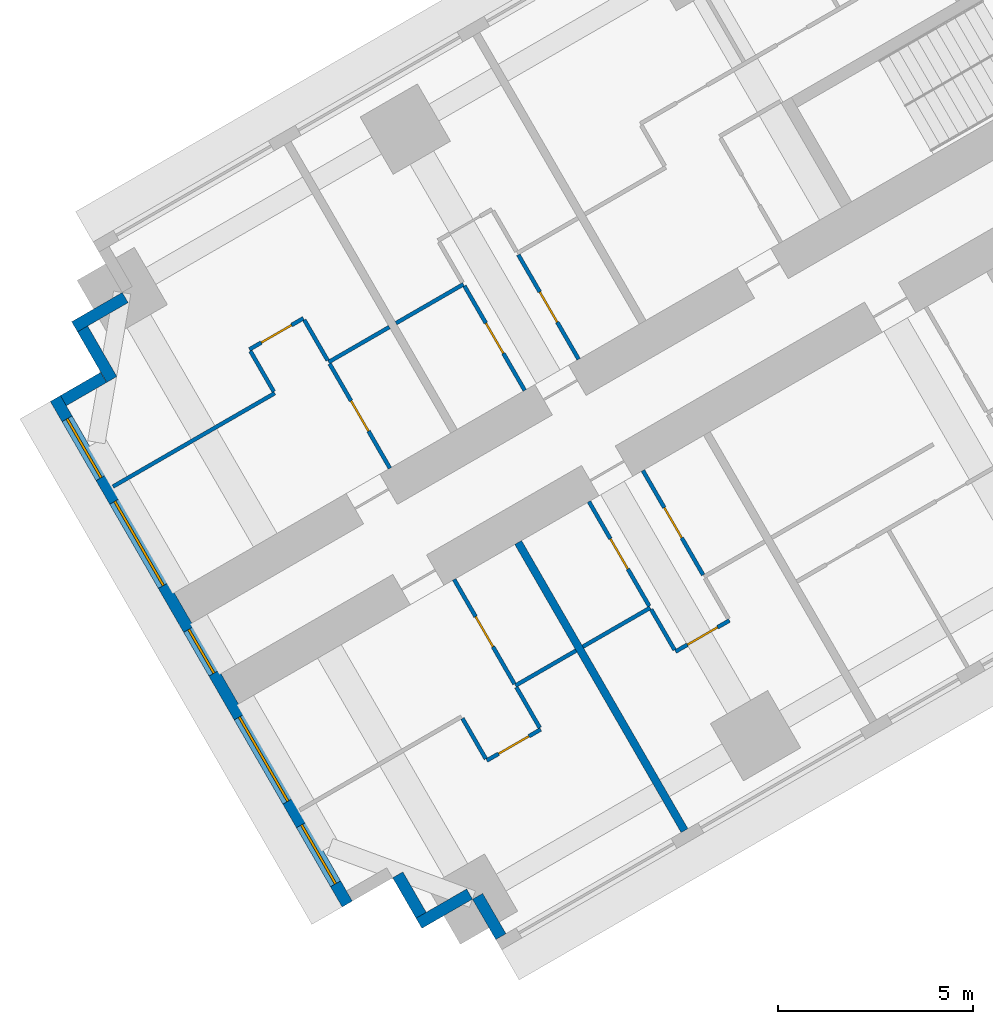
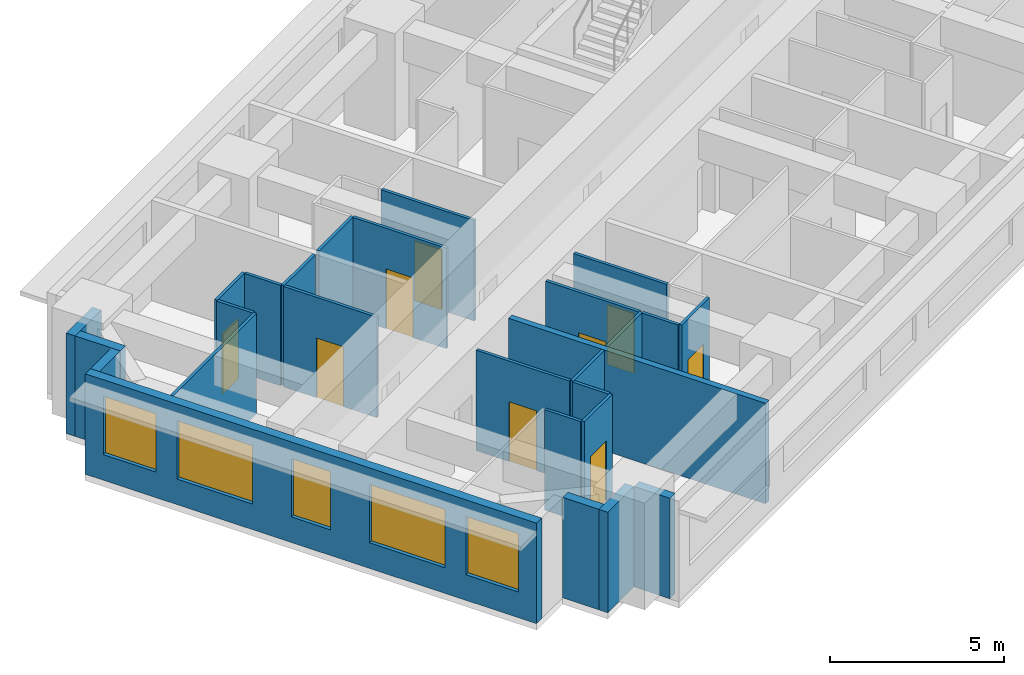
# One storey, part 3 of 16: 27 walls, 9 doors, 5 windows, 14 openings.
"""IFC4 building model written with IfcOpenShell, lengths in metres."""

from ifc_helpers import new_model, si_unit, direction, frame, frame_2d, origin, place, context, subcontext, project, spatial, rectangle, extrude, material, layer, layer_set, type_object, element, fill, save


model = new_model("IFC4")

# Units and contexts
model_context = context("Model", 3, precision=1e-05, world=origin(), true_north=direction((0.0, 1.0)))
body_context = subcontext(model_context, "Body", "Model", "MODEL_VIEW")
ifc_project = project(units=[si_unit("LENGTHUNIT", "METRE"), si_unit("AREAUNIT", "SQUARE_METRE"), si_unit("VOLUMEUNIT", "CUBIC_METRE"), si_unit("PLANEANGLEUNIT", "RADIAN"), si_unit("MASSUNIT", "GRAM", prefix="KILO")], contexts=[model_context])

# Site, building, storey
site_placement = place(None, origin())
site = spatial("IfcSite", under=ifc_project, at=site_placement, CompositionType="ELEMENT")
building_placement = place(site_placement, origin())
building = spatial("IfcBuilding", under=site, at=building_placement, Name="Impinga Residences", CompositionType="ELEMENT")
storey_placement = place(building_placement, frame((0.0, 0.0, 48.5)))
storey = spatial("IfcBuildingStorey", under=building, at=storey_placement, Name="L11", CompositionType="ELEMENT", Elevation=48.5)

# Walls
ifc_material_1 = material(Name="Terracotta rainscreen on blockwork", Category="masonry")
ifc_layer_1 = layer(ifc_material_1, 0.300048828125)
ifc_layer_set_1 = layer_set([ifc_layer_1], Name="EW1 external wall, terracotta rainscreen on blockwork 300")
wall_type_1 = type_object("IfcWallType", Name="EW1 external wall, terracotta rainscreen on blockwork 300", PredefinedType="SOLIDWALL", material=ifc_layer_set_1)
wall_1_placement = place(storey_placement, frame((-33.7685546875, -31.274169921875, 0.0), z_axis=(0.0, 0.0, 1.0), x_axis=(-0.499940577336, 0.866059708757, 0.0)))
element("IfcWall", 1, at=wall_1_placement, inside=storey, type_object=wall_type_1, Name="External wall EW1 L11", PredefinedType="SOLIDWALL", context=body_context, shape_type="SweptSolid", body=[
    extrude(rectangle(XDim=1.195068359375, YDim=0.300048828125, at=frame_2d((0.59765625, 0.0))), origin(), (0.0, 0.0, 1.0), 3.530029296875),
])
wall_2_placement = place(storey_placement, frame((-34.573486328125, -30.18017578125, 0.0), z_axis=(0.0, 0.0, 1.0), x_axis=(-0.866031096941, -0.499990139034, 0.0)))
element("IfcWall", 2, at=wall_2_placement, inside=storey, type_object=wall_type_1, Name="External wall EW1 L11", PredefinedType="SOLIDWALL", context=body_context, shape_type="SweptSolid", body=[
    extrude(rectangle(XDim=1.5, YDim=0.300048828125, at=frame_2d((0.75, 0.0))), origin(), (0.0, 0.0, 1.0), 3.530029296875),
])
wall_3_placement = place(storey_placement, frame((-35.817626953125, -30.72509765625, 0.0), z_axis=(0.0, 0.0, 1.0), x_axis=(-0.499969057507, 0.866043267704, 0.0)))
element("IfcWall", 3, at=wall_3_placement, inside=storey, type_object=wall_type_1, Name="External wall EW1 L11", PredefinedType="SOLIDWALL", context=body_context, shape_type="SweptSolid", body=[
    extrude(rectangle(XDim=1.19970703125, YDim=0.300048828125, at=frame_2d((0.599853515625, 0.0))), origin(), (0.0, 0.0, 1.0), 3.530029296875),
])

# Wall, openings, windows
wall_4_placement = place(storey_placement, frame((-37.716552734375, -30.43603515625, 0.0), z_axis=(0.0, 0.0, 1.0), x_axis=(-0.499997186618, 0.866027028085, 0.0)))
wall_4 = element("IfcWall", 4, at=wall_4_placement, inside=storey, type_object=wall_type_1, Name="External wall EW1 L11", PredefinedType="SOLIDWALL", context=body_context, shape_type="SweptSolid", body=[
    extrude(rectangle(XDim=15.0, YDim=0.300048828125, at=frame_2d((7.5, 0.0))), origin(), (0.0, 0.0, 1.0), 3.530029296875),
])
opening_1_placement = place(wall_4_placement, frame((0.60009765625, 0.0, 0.89990234375)))
opening_1 = element("IfcOpeningElement", 5, at=opening_1_placement, cuts=wall_4, Name="Opening W1", PredefinedType="OPENING", context=body_context, shape_type="SweptSolid", body=[
    extrude(rectangle(XDim=1.75, YDim=2.050048828125, at=frame_2d((0.875, 1.02490234375))), frame((0.0, 0.159912109375, 0.0), z_axis=(0.0, -1.0, 0.0), x_axis=(1.0, 0.0, 0.0)), (0.0, 0.0, 1.0), 0.320068359375),
])
opening_2_placement = place(wall_4_placement, frame((3.050048828125, 0.0, 0.89990234375)))
opening_2 = element("IfcOpeningElement", 6, at=opening_2_placement, cuts=wall_4, Name="Opening W2", PredefinedType="OPENING", context=body_context, shape_type="SweptSolid", body=[
    extrude(rectangle(XDim=2.5, YDim=2.050048828125, at=frame_2d((1.25, 1.02490234375))), frame((0.0, 0.159912109375, 0.0), z_axis=(0.0, -1.0, 0.0), x_axis=(1.0, 0.0, 0.0)), (0.0, 0.0, 1.0), 0.320068359375),
])
opening_3_placement = place(wall_4_placement, frame((6.85009765625, 0.0, 0.89990234375)))
opening_3 = element("IfcOpeningElement", 7, at=opening_3_placement, cuts=wall_4, Name="Opening WE1", PredefinedType="OPENING", context=body_context, shape_type="SweptSolid", body=[
    extrude(rectangle(XDim=1.300048828125, YDim=2.050048828125, at=frame_2d((0.64990234375, 1.02490234375))), frame((0.0, 0.159912109375, 0.0), z_axis=(0.0, -1.0, 0.0), x_axis=(1.0, 0.0, 0.0)), (0.0, 0.0, 1.0), 0.320068359375),
])
opening_4_placement = place(wall_4_placement, frame((9.449951171875, 0.0, 0.89990234375)))
opening_4 = element("IfcOpeningElement", 8, at=opening_4_placement, cuts=wall_4, Name="Opening W2", PredefinedType="OPENING", context=body_context, shape_type="SweptSolid", body=[
    extrude(rectangle(XDim=2.5, YDim=2.050048828125, at=frame_2d((1.25, 1.02490234375))), frame((0.0, 0.159912109375, 0.0), z_axis=(0.0, -1.0, 0.0), x_axis=(1.0, 0.0, 0.0)), (0.0, 0.0, 1.0), 0.320068359375),
])
opening_5_placement = place(wall_4_placement, frame((12.64990234375, 0.0, 0.89990234375)))
opening_5 = element("IfcOpeningElement", 9, at=opening_5_placement, cuts=wall_4, Name="Opening W1", PredefinedType="OPENING", context=body_context, shape_type="SweptSolid", body=[
    extrude(rectangle(XDim=1.75, YDim=2.050048828125, at=frame_2d((0.875, 1.02490234375))), frame((0.0, 0.159912109375, 0.0), z_axis=(0.0, -1.0, 0.0), x_axis=(1.0, 0.0, 0.0)), (0.0, 0.0, 1.0), 0.320068359375),
])
ifc_material_2 = material(Name="Aluminium window, clear double glazing", Category="aluminium")
window_type_1 = type_object("IfcWindowType", Name="W1 ribbon window 1750x2050", PartitioningType="SINGLE_PANEL", PredefinedType="WINDOW", material=ifc_material_2)
window_1_placement = place(opening_1_placement, origin())
window_1 = element("IfcWindow", 10, at=window_1_placement, inside=storey, type_object=window_type_1, Name="Window L11", OverallHeight=2.050048828125, OverallWidth=1.75, PartitioningType="SINGLE_PANEL", PredefinedType="WINDOW", context=body_context, shape_type="SweptSolid", body=[
    extrude(rectangle(XDim=1.75, YDim=2.050048828125, at=frame_2d((0.875, 1.02490234375))), frame((0.0, 0.030029296875, 0.0), z_axis=(0.0, -1.0, 0.0), x_axis=(1.0, 0.0, 0.0)), (0.0, 0.0, 1.0), 0.06005859375),
])
fill(opening_1, window_1)
window_2_placement = place(opening_5_placement, origin())
window_2 = element("IfcWindow", 11, at=window_2_placement, inside=storey, type_object=window_type_1, Name="Window L11", OverallHeight=2.050048828125, OverallWidth=1.75, PartitioningType="SINGLE_PANEL", PredefinedType="WINDOW", context=body_context, shape_type="SweptSolid", body=[
    extrude(rectangle(XDim=1.75, YDim=2.050048828125, at=frame_2d((0.875, 1.02490234375))), frame((0.0, 0.030029296875, 0.0), z_axis=(0.0, -1.0, 0.0), x_axis=(1.0, 0.0, 0.0)), (0.0, 0.0, 1.0), 0.06005859375),
])
fill(opening_5, window_2)
window_type_2 = type_object("IfcWindowType", Name="W2 ribbon window 2500x2050", PartitioningType="SINGLE_PANEL", PredefinedType="WINDOW", material=ifc_material_2)
window_3_placement = place(opening_2_placement, origin())
window_3 = element("IfcWindow", 12, at=window_3_placement, inside=storey, type_object=window_type_2, Name="Window L11", OverallHeight=2.050048828125, OverallWidth=2.5, PartitioningType="SINGLE_PANEL", PredefinedType="WINDOW", context=body_context, shape_type="SweptSolid", body=[
    extrude(rectangle(XDim=2.5, YDim=2.050048828125, at=frame_2d((1.25, 1.02490234375))), frame((0.0, 0.030029296875, 0.0), z_axis=(0.0, -1.0, 0.0), x_axis=(1.0, 0.0, 0.0)), (0.0, 0.0, 1.0), 0.06005859375),
])
fill(opening_2, window_3)
window_4_placement = place(opening_4_placement, origin())
window_4 = element("IfcWindow", 13, at=window_4_placement, inside=storey, type_object=window_type_2, Name="Window L11", OverallHeight=2.050048828125, OverallWidth=2.5, PartitioningType="SINGLE_PANEL", PredefinedType="WINDOW", context=body_context, shape_type="SweptSolid", body=[
    extrude(rectangle(XDim=2.5, YDim=2.050048828125, at=frame_2d((1.25, 1.02490234375))), frame((0.0, 0.030029296875, 0.0), z_axis=(0.0, -1.0, 0.0), x_axis=(1.0, 0.0, 0.0)), (0.0, 0.0, 1.0), 0.06005859375),
])
fill(opening_4, window_4)
window_type_3 = type_object("IfcWindowType", Name="WE1 corridor window 1300x2050", PartitioningType="SINGLE_PANEL", PredefinedType="WINDOW", material=ifc_material_2)
window_5_placement = place(opening_3_placement, origin())
window_5 = element("IfcWindow", 14, at=window_5_placement, inside=storey, type_object=window_type_3, Name="Window L11", OverallHeight=2.050048828125, OverallWidth=1.300048828125, PartitioningType="SINGLE_PANEL", PredefinedType="WINDOW", context=body_context, shape_type="SweptSolid", body=[
    extrude(rectangle(XDim=1.300048828125, YDim=2.050048828125, at=frame_2d((0.64990234375, 1.02490234375))), frame((0.0, 0.030029296875, 0.0), z_axis=(0.0, -1.0, 0.0), x_axis=(1.0, 0.0, 0.0)), (0.0, 0.0, 1.0), 0.06005859375),
])
fill(opening_3, window_5)

# Walls
wall_5_placement = place(storey_placement, frame((-45.01171875, -17.50048828125, 0.0), z_axis=(0.0, 0.0, 1.0), x_axis=(0.866059708757, 0.499940577336, 0.0)))
element("IfcWall", 15, at=wall_5_placement, inside=storey, type_object=wall_type_1, Name="External wall EW1 L11", PredefinedType="SOLIDWALL", context=body_context, shape_type="SweptSolid", body=[
    extrude(rectangle(XDim=1.195068359375, YDim=0.300048828125, at=frame_2d((0.59765625, 0.0))), origin(), (0.0, 0.0, 1.0), 3.530029296875),
])
for number, where, z_axis, x_axis, name in (
    (16, (-43.767578125, -16.955322265625, 0.0), (0.0, 0.0, 1.0), (-0.499990139034, 0.866031096941, 0.0), "External wall EW1 L11"),
    (17, (-44.722412109375, -15.6015625, 0.0), (0.0, 0.0, 1.0), (0.866031096941, 0.499990139034, 0.0), "External wall EW1 L11"),
):
    element("IfcWall", number, at=place(storey_placement, frame(where, z_axis=z_axis, x_axis=x_axis)), inside=storey, type_object=wall_type_1, Name=name, PredefinedType="SOLIDWALL", context=body_context, shape_type="SweptSolid", body=[
        extrude(rectangle(XDim=1.5, YDim=0.300048828125, at=frame_2d((0.75, 0.0))), origin(), (0.0, 0.0, 1.0), 3.530029296875),
    ])
ifc_material_3 = material(Name="Gypsum board on steel studs", Category="steel")
ifc_layer_2 = layer(ifc_material_3, 0.10009765625)
ifc_layer_set_2 = layer_set([ifc_layer_2], Name="Gypsum board on steel studs")
wall_type_2 = type_object("IfcWallType", Name="IP1 partition 100", PredefinedType="PARTITIONING", material=ifc_layer_set_2)
wall_6_placement = place(storey_placement, frame((-29.93017578125, -22.82275390625, 0.0), z_axis=(0.0, 0.0, 1.0), x_axis=(-0.866010750942, -0.50002537861, 0.0)))
element("IfcWall", 18, at=wall_6_placement, inside=storey, type_object=wall_type_2, Name="Partition L11-WA4:DIV1", PredefinedType="PARTITIONING", context=body_context, shape_type="SweptSolid", body=[
    extrude(rectangle(XDim=2.0, YDim=0.10009765625, at=frame_2d((1.0, 0.0))), origin(), (0.0, 0.0, 1.0), 3.530029296875),
])

# Wall, opening, door
wall_7_placement = place(storey_placement, frame((-27.89453125, -23.1484375, 0.0), z_axis=(0.0, 0.0, 1.0), x_axis=(-0.865989903783, -0.500061482766, 0.0)))
wall_7 = element("IfcWall", 19, at=wall_7_placement, inside=storey, type_object=wall_type_2, Name="Partition L11-WA4:STRIP", PredefinedType="PARTITIONING", context=body_context, shape_type="SweptSolid", body=[
    extrude(rectangle(XDim=1.599853515625, YDim=0.10009765625, at=frame_2d((0.7998046875, 0.0))), origin(), (0.0, 0.0, 1.0), 3.530029296875),
])
opening_6_placement = place(wall_7_placement, frame((0.35009765625, 0.0, 0.0)))
opening_6 = element("IfcOpeningElement", 20, at=opening_6_placement, cuts=wall_7, Name="Opening D2", PredefinedType="OPENING", context=body_context, shape_type="SweptSolid", body=[
    extrude(rectangle(XDim=0.89990234375, YDim=2.10009765625, at=frame_2d((0.449951171875, 1.050048828125))), frame((0.0, 0.06005859375, 0.0), z_axis=(0.0, -1.0, 0.0), x_axis=(1.0, 0.0, 0.0)), (0.0, 0.0, 1.0), 0.1201171875),
])
ifc_material_4 = material(Name="Timber door set", Category="wood")
door_type = type_object("IfcDoorType", Name="D2 internal door 900x2100", OperationType="SINGLE_SWING_LEFT", PredefinedType="DOOR", material=ifc_material_4)
door_1_placement = place(opening_6_placement, origin())
door_1 = element("IfcDoor", 21, at=door_1_placement, inside=storey, type_object=door_type, Name="Apartment L11-WA4 room door", OperationType="SINGLE_SWING_LEFT", OverallHeight=2.10009765625, OverallWidth=0.89990234375, PredefinedType="DOOR", context=body_context, shape_type="SweptSolid", body=[
    extrude(rectangle(XDim=0.89990234375, YDim=2.10009765625, at=frame_2d((0.449951171875, 1.050048828125))), frame((0.0, 0.02490234375, 0.0), z_axis=(0.0, -1.0, 0.0), x_axis=(1.0, 0.0, 0.0)), (0.0, 0.0, 1.0), 0.050048828125),
])
fill(opening_6, door_1)

# Wall
wall_8_placement = place(storey_placement, frame((-29.905029296875, -22.865966796875, 0.0), z_axis=(0.0, 0.0, 1.0), x_axis=(0.499880961361, -0.866094119867, 0.0)))
element("IfcWall", 22, at=wall_8_placement, inside=storey, type_object=wall_type_2, Name="Partition L11-WA4:SE1", PredefinedType="PARTITIONING", context=body_context, shape_type="SweptSolid", body=[
    extrude(rectangle(XDim=1.199951171875, YDim=0.10009765625, at=frame_2d((0.60009765625, 0.0))), origin(), (0.0, 0.0, 1.0), 3.530029296875),
])

# Wall, opening, door
wall_9_placement = place(storey_placement, frame((-30.119384765625, -19.294677734375, 0.0), z_axis=(0.0, 0.0, 1.0), x_axis=(0.49999285859, -0.86602952684, 0.0)))
wall_9 = element("IfcWall", 23, at=wall_9_placement, inside=storey, type_object=wall_type_2, Name="Partition L11-WA4:IB1", PredefinedType="PARTITIONING", context=body_context, shape_type="SweptSolid", body=[
    extrude(rectangle(XDim=3.10009765625, YDim=0.10009765625, at=frame_2d((1.550048828125, 0.0))), origin(), (0.0, 0.0, 1.0), 3.530029296875),
])
opening_7_placement = place(wall_9_placement, frame((1.10009765625, 0.0, 0.0)))
opening_7 = element("IfcOpeningElement", 24, at=opening_7_placement, cuts=wall_9, Name="Opening D2", PredefinedType="OPENING", context=body_context, shape_type="SweptSolid", body=[
    extrude(rectangle(XDim=0.89990234375, YDim=2.10009765625, at=frame_2d((0.449951171875, 1.050048828125))), frame((0.0, 0.06005859375, 0.0), z_axis=(0.0, -1.0, 0.0), x_axis=(1.0, 0.0, 0.0)), (0.0, 0.0, 1.0), 0.1201171875),
])
door_2_placement = place(opening_7_placement, origin())
door_2 = element("IfcDoor", 25, at=door_2_placement, inside=storey, type_object=door_type, Name="Apartment L11-WA4 bathroom door", OperationType="SINGLE_SWING_LEFT", OverallHeight=2.10009765625, OverallWidth=0.89990234375, PredefinedType="DOOR", context=body_context, shape_type="SweptSolid", body=[
    extrude(rectangle(XDim=0.89990234375, YDim=2.10009765625, at=frame_2d((0.449951171875, 1.050048828125))), frame((0.0, 0.02490234375, 0.0), z_axis=(0.0, -1.0, 0.0), x_axis=(1.0, 0.0, 0.0)), (0.0, 0.0, 1.0), 0.050048828125),
])
fill(opening_7, door_2)

wall_10_placement = place(storey_placement, frame((-31.505126953125, -20.0947265625, 0.0), z_axis=(0.0, 0.0, 1.0), x_axis=(0.500026960575, -0.86600983753, 0.0)))
wall_10 = element("IfcWall", 26, at=wall_10_placement, inside=storey, type_object=wall_type_2, Name="Partition L11-WA4:IB2", PredefinedType="PARTITIONING", context=body_context, shape_type="SweptSolid", body=[
    extrude(rectangle(XDim=3.099853515625, YDim=0.10009765625, at=frame_2d((1.5498046875, 0.0))), origin(), (0.0, 0.0, 1.0), 3.530029296875),
])
opening_8_placement = place(wall_10_placement, frame((1.10009765625, 0.0, 0.0)))
opening_8 = element("IfcOpeningElement", 27, at=opening_8_placement, cuts=wall_10, Name="Opening D2", PredefinedType="OPENING", context=body_context, shape_type="SweptSolid", body=[
    extrude(rectangle(XDim=0.89990234375, YDim=2.10009765625, at=frame_2d((0.449951171875, 1.050048828125))), frame((0.0, 0.06005859375, 0.0), z_axis=(0.0, -1.0, 0.0), x_axis=(1.0, 0.0, 0.0)), (0.0, 0.0, 1.0), 0.1201171875),
])
door_3_placement = place(opening_8_placement, origin())
door_3 = element("IfcDoor", 28, at=door_3_placement, inside=storey, type_object=door_type, Name="Apartment L11-WA4 WC door", OperationType="SINGLE_SWING_LEFT", OverallHeight=2.10009765625, OverallWidth=0.89990234375, PredefinedType="DOOR", context=body_context, shape_type="SweptSolid", body=[
    extrude(rectangle(XDim=0.89990234375, YDim=2.10009765625, at=frame_2d((0.449951171875, 1.050048828125))), frame((0.0, 0.02490234375, 0.0), z_axis=(0.0, -1.0, 0.0), x_axis=(1.0, 0.0, 0.0)), (0.0, 0.0, 1.0), 0.050048828125),
])
fill(opening_8, door_3)

# Wall
wall_11_placement = place(storey_placement, frame((-31.835205078125, -23.922607421875, 0.0), z_axis=(0.0, 0.0, 1.0), x_axis=(-0.865989075817, -0.500062916607, 0.0)))
element("IfcWall", 29, at=wall_11_placement, inside=storey, type_object=wall_type_2, Name="Partition L11-WA5:DIV0", PredefinedType="PARTITIONING", context=body_context, shape_type="SweptSolid", body=[
    extrude(rectangle(XDim=1.800048828125, YDim=0.10009765625, at=frame_2d((0.89990234375, 0.0))), origin(), (0.0, 0.0, 1.0), 3.530029296875),
])

# Wall, opening, door
wall_12_placement = place(storey_placement, frame((-32.744140625, -25.948486328125, 0.0), z_axis=(0.0, 0.0, 1.0), x_axis=(-0.866028054938, -0.499995408039, 0.0)))
wall_12 = element("IfcWall", 30, at=wall_12_placement, inside=storey, type_object=wall_type_2, Name="Partition L11-WA5:STRIP", PredefinedType="PARTITIONING", context=body_context, shape_type="SweptSolid", body=[
    extrude(rectangle(XDim=1.60009765625, YDim=0.10009765625, at=frame_2d((0.800048828125, 0.0))), origin(), (0.0, 0.0, 1.0), 3.530029296875),
])
opening_9_placement = place(wall_12_placement, frame((0.35009765625, 0.0, 0.0)))
opening_9 = element("IfcOpeningElement", 31, at=opening_9_placement, cuts=wall_12, Name="Opening D2", PredefinedType="OPENING", context=body_context, shape_type="SweptSolid", body=[
    extrude(rectangle(XDim=0.89990234375, YDim=2.10009765625, at=frame_2d((0.449951171875, 1.050048828125))), frame((0.0, 0.06005859375, 0.0), z_axis=(0.0, -1.0, 0.0), x_axis=(1.0, 0.0, 0.0)), (0.0, 0.0, 1.0), 0.1201171875),
])
door_4_placement = place(opening_9_placement, origin())
door_4 = element("IfcDoor", 32, at=door_4_placement, inside=storey, type_object=door_type, Name="Apartment L11-WA5 room door", OperationType="SINGLE_SWING_LEFT", OverallHeight=2.10009765625, OverallWidth=0.89990234375, PredefinedType="DOOR", context=body_context, shape_type="SweptSolid", body=[
    extrude(rectangle(XDim=0.89990234375, YDim=2.10009765625, at=frame_2d((0.449951171875, 1.050048828125))), frame((0.0, 0.02490234375, 0.0), z_axis=(0.0, -1.0, 0.0), x_axis=(1.0, 0.0, 0.0)), (0.0, 0.0, 1.0), 0.050048828125),
])
fill(opening_9, door_4)

# Walls
for number, where, z_axis, x_axis, name in (
    (33, (-33.369140625, -24.865966796875, 0.0), (0.0, 0.0, 1.0), (0.500033551112, -0.866006032174, 0.0), "Partition L11-WA5:SE0"),
    (34, (-34.7548828125, -25.666015625, 0.0), (0.0, 0.0, 1.0), (0.500033551112, -0.866006032174, 0.0), "Partition L11-WA5:SE1"),
):
    element("IfcWall", number, at=place(storey_placement, frame(where, z_axis=z_axis, x_axis=x_axis)), inside=storey, type_object=wall_type_2, Name=name, PredefinedType="PARTITIONING", context=body_context, shape_type="SweptSolid", body=[
        extrude(rectangle(XDim=1.2001953125, YDim=0.10009765625, at=frame_2d((0.60009765625, 0.0))), origin(), (0.0, 0.0, 1.0), 3.530029296875),
    ])

# Wall, opening, door
wall_13_placement = place(storey_placement, frame((-34.96923828125, -22.0947265625, 0.0), z_axis=(0.0, 0.0, 1.0), x_axis=(0.500026960575, -0.86600983753, 0.0)))
wall_13 = element("IfcWall", 35, at=wall_13_placement, inside=storey, type_object=wall_type_2, Name="Partition L11-WA5:IB1", PredefinedType="PARTITIONING", context=body_context, shape_type="SweptSolid", body=[
    extrude(rectangle(XDim=3.099853515625, YDim=0.10009765625, at=frame_2d((1.5498046875, 0.0))), origin(), (0.0, 0.0, 1.0), 3.530029296875),
])
opening_10_placement = place(wall_13_placement, frame((1.10009765625, 0.0, 0.0)))
opening_10 = element("IfcOpeningElement", 36, at=opening_10_placement, cuts=wall_13, Name="Opening D2", PredefinedType="OPENING", context=body_context, shape_type="SweptSolid", body=[
    extrude(rectangle(XDim=0.89990234375, YDim=2.10009765625, at=frame_2d((0.449951171875, 1.050048828125))), frame((0.0, 0.06005859375, 0.0), z_axis=(0.0, -1.0, 0.0), x_axis=(1.0, 0.0, 0.0)), (0.0, 0.0, 1.0), 0.1201171875),
])
door_5_placement = place(opening_10_placement, origin())
door_5 = element("IfcDoor", 37, at=door_5_placement, inside=storey, type_object=door_type, Name="Apartment L11-WA5 bathroom door", OperationType="SINGLE_SWING_LEFT", OverallHeight=2.10009765625, OverallWidth=0.89990234375, PredefinedType="DOOR", context=body_context, shape_type="SweptSolid", body=[
    extrude(rectangle(XDim=0.89990234375, YDim=2.10009765625, at=frame_2d((0.449951171875, 1.050048828125))), frame((0.0, 0.02490234375, 0.0), z_axis=(0.0, -1.0, 0.0), x_axis=(1.0, 0.0, 0.0)), (0.0, 0.0, 1.0), 0.050048828125),
])
fill(opening_10, door_5)

# Wall
wall_14_placement = place(storey_placement, frame((-34.72998046875, -14.5087890625, 0.0), z_axis=(0.0, 0.0, 1.0), x_axis=(-0.866041268327, -0.499972520799, 0.0)))
element("IfcWall", 38, at=wall_14_placement, inside=storey, type_object=wall_type_2, Name="Partition L11-WF3:DIV1", PredefinedType="PARTITIONING", context=body_context, shape_type="SweptSolid", body=[
    extrude(rectangle(XDim=2.0, YDim=0.10009765625, at=frame_2d((1.0, 0.0))), origin(), (0.0, 0.0, 1.0), 3.530029296875),
])

# Wall, opening, door
wall_15_placement = place(storey_placement, frame((-31.76953125, -16.436767578125, 0.0), z_axis=(0.0, 0.0, 1.0), x_axis=(-0.499967891604, 0.866043940782, 0.0)))
wall_15 = element("IfcWall", 39, at=wall_15_placement, inside=storey, type_object=wall_type_2, Name="Partition L11-WF3:IB1", PredefinedType="PARTITIONING", context=body_context, shape_type="SweptSolid", body=[
    extrude(rectangle(XDim=3.099853515625, YDim=0.10009765625, at=frame_2d((1.5498046875, 0.0))), origin(), (0.0, 0.0, 1.0), 3.530029296875),
])
opening_11_placement = place(wall_15_placement, frame((1.10009765625, 0.0, 0.0)))
opening_11 = element("IfcOpeningElement", 40, at=opening_11_placement, cuts=wall_15, Name="Opening D2", PredefinedType="OPENING", context=body_context, shape_type="SweptSolid", body=[
    extrude(rectangle(XDim=0.89990234375, YDim=2.10009765625, at=frame_2d((0.449951171875, 1.050048828125))), frame((0.0, 0.06005859375, 0.0), z_axis=(0.0, -1.0, 0.0), x_axis=(1.0, 0.0, 0.0)), (0.0, 0.0, 1.0), 0.1201171875),
])
door_6_placement = place(opening_11_placement, origin())
door_6 = element("IfcDoor", 41, at=door_6_placement, inside=storey, type_object=door_type, Name="Apartment L11-WF3 bathroom door", OperationType="SINGLE_SWING_LEFT", OverallHeight=2.10009765625, OverallWidth=0.89990234375, PredefinedType="DOOR", context=body_context, shape_type="SweptSolid", body=[
    extrude(rectangle(XDim=0.89990234375, YDim=2.10009765625, at=frame_2d((0.449951171875, 1.050048828125))), frame((0.0, 0.02490234375, 0.0), z_axis=(0.0, -1.0, 0.0), x_axis=(1.0, 0.0, 0.0)), (0.0, 0.0, 1.0), 0.050048828125),
])
fill(opening_11, door_6)

wall_16_placement = place(storey_placement, frame((-33.155029296875, -17.23681640625, 0.0), z_axis=(0.0, 0.0, 1.0), x_axis=(-0.500026960575, 0.86600983753, 0.0)))
wall_16 = element("IfcWall", 42, at=wall_16_placement, inside=storey, type_object=wall_type_2, Name="Partition L11-WF3:IB2", PredefinedType="PARTITIONING", context=body_context, shape_type="SweptSolid", body=[
    extrude(rectangle(XDim=3.099853515625, YDim=0.10009765625, at=frame_2d((1.5498046875, 0.0))), origin(), (0.0, 0.0, 1.0), 3.530029296875),
])
opening_12_placement = place(wall_16_placement, frame((1.10009765625, 0.0, 0.0)))
opening_12 = element("IfcOpeningElement", 43, at=opening_12_placement, cuts=wall_16, Name="Opening D2", PredefinedType="OPENING", context=body_context, shape_type="SweptSolid", body=[
    extrude(rectangle(XDim=0.89990234375, YDim=2.10009765625, at=frame_2d((0.449951171875, 1.050048828125))), frame((0.0, 0.06005859375, 0.0), z_axis=(0.0, -1.0, 0.0), x_axis=(1.0, 0.0, 0.0)), (0.0, 0.0, 1.0), 0.1201171875),
])
door_7_placement = place(opening_12_placement, origin())
door_7 = element("IfcDoor", 44, at=door_7_placement, inside=storey, type_object=door_type, Name="Apartment L11-WF3 WC door", OperationType="SINGLE_SWING_LEFT", OverallHeight=2.10009765625, OverallWidth=0.89990234375, PredefinedType="DOOR", context=body_context, shape_type="SweptSolid", body=[
    extrude(rectangle(XDim=0.89990234375, YDim=2.10009765625, at=frame_2d((0.449951171875, 1.050048828125))), frame((0.0, 0.02490234375, 0.0), z_axis=(0.0, -1.0, 0.0), x_axis=(1.0, 0.0, 0.0)), (0.0, 0.0, 1.0), 0.050048828125),
])
fill(opening_12, door_7)

# Walls
wall_17_placement = place(storey_placement, frame((-36.63525390625, -15.60888671875, 0.0), z_axis=(0.0, 0.0, 1.0), x_axis=(-0.866047807691, -0.499961193289, 0.0)))
element("IfcWall", 45, at=wall_17_placement, inside=storey, type_object=wall_type_2, Name="Partition L11-WF4:DIV0", PredefinedType="PARTITIONING", context=body_context, shape_type="SweptSolid", body=[
    extrude(rectangle(XDim=1.800048828125, YDim=0.10009765625, at=frame_2d((0.89990234375, 0.0))), origin(), (0.0, 0.0, 1.0), 3.530029296875),
])
wall_18_placement = place(storey_placement, frame((-39.579833984375, -17.308837890625, 0.0), z_axis=(0.0, 0.0, 1.0), x_axis=(-0.866037363387, -0.499979284789, 0.0)))
element("IfcWall", 46, at=wall_18_placement, inside=storey, type_object=wall_type_2, Name="Partition L11-WF4:DIV1", PredefinedType="PARTITIONING", context=body_context, shape_type="SweptSolid", body=[
    extrude(rectangle(XDim=4.800048828125, YDim=0.10009765625, at=frame_2d((2.39990234375, 0.0))), origin(), (0.0, 0.0, 1.0), 3.530029296875),
])

# Wall, opening, door
wall_19_placement = place(storey_placement, frame((-38.84423828125, -15.383056640625, 0.0), z_axis=(0.0, 0.0, 1.0), x_axis=(-0.865989903783, -0.500061482766, 0.0)))
wall_19 = element("IfcWall", 47, at=wall_19_placement, inside=storey, type_object=wall_type_2, Name="Partition L11-WF4:STRIP", PredefinedType="PARTITIONING", context=body_context, shape_type="SweptSolid", body=[
    extrude(rectangle(XDim=1.599853515625, YDim=0.10009765625, at=frame_2d((0.7998046875, 0.0))), origin(), (0.0, 0.0, 1.0), 3.530029296875),
])
opening_13_placement = place(wall_19_placement, frame((0.35009765625, 0.0, 0.0)))
opening_13 = element("IfcOpeningElement", 48, at=opening_13_placement, cuts=wall_19, Name="Opening D2", PredefinedType="OPENING", context=body_context, shape_type="SweptSolid", body=[
    extrude(rectangle(XDim=0.89990234375, YDim=2.10009765625, at=frame_2d((0.449951171875, 1.050048828125))), frame((0.0, 0.06005859375, 0.0), z_axis=(0.0, -1.0, 0.0), x_axis=(1.0, 0.0, 0.0)), (0.0, 0.0, 1.0), 0.1201171875),
])
door_8_placement = place(opening_13_placement, origin())
door_8 = element("IfcDoor", 49, at=door_8_placement, inside=storey, type_object=door_type, Name="Apartment L11-WF4 room door", OperationType="SINGLE_SWING_LEFT", OverallHeight=2.10009765625, OverallWidth=0.89990234375, PredefinedType="DOOR", context=body_context, shape_type="SweptSolid", body=[
    extrude(rectangle(XDim=0.89990234375, YDim=2.10009765625, at=frame_2d((0.449951171875, 1.050048828125))), frame((0.0, 0.02490234375, 0.0), z_axis=(0.0, -1.0, 0.0), x_axis=(1.0, 0.0, 0.0)), (0.0, 0.0, 1.0), 0.050048828125),
])
fill(opening_13, door_8)

# Walls
wall_20_placement = place(storey_placement, frame((-38.21923828125, -16.465576171875, 0.0), z_axis=(0.0, 0.0, 1.0), x_axis=(-0.499880961361, 0.866094119867, 0.0)))
element("IfcWall", 50, at=wall_20_placement, inside=storey, type_object=wall_type_2, Name="Partition L11-WF4:SE0", PredefinedType="PARTITIONING", context=body_context, shape_type="SweptSolid", body=[
    extrude(rectangle(XDim=1.199951171875, YDim=0.10009765625, at=frame_2d((0.60009765625, 0.0))), origin(), (0.0, 0.0, 1.0), 3.530029296875),
])
wall_21_placement = place(storey_placement, frame((-39.604736328125, -17.265625, 0.0), z_axis=(0.0, 0.0, 1.0), x_axis=(-0.500033551112, 0.866006032174, 0.0)))
element("IfcWall", 51, at=wall_21_placement, inside=storey, type_object=wall_type_2, Name="Partition L11-WF4:SE1", PredefinedType="PARTITIONING", context=body_context, shape_type="SweptSolid", body=[
    extrude(rectangle(XDim=1.2001953125, YDim=0.10009765625, at=frame_2d((0.60009765625, 0.0))), origin(), (0.0, 0.0, 1.0), 3.530029296875),
])

# Wall, opening, door
wall_22_placement = place(storey_placement, frame((-36.619140625, -19.23681640625, 0.0), z_axis=(0.0, 0.0, 1.0), x_axis=(-0.500026960575, 0.86600983753, 0.0)))
wall_22 = element("IfcWall", 52, at=wall_22_placement, inside=storey, type_object=wall_type_2, Name="Partition L11-WF4:IB1", PredefinedType="PARTITIONING", context=body_context, shape_type="SweptSolid", body=[
    extrude(rectangle(XDim=3.099853515625, YDim=0.10009765625, at=frame_2d((1.5498046875, 0.0))), origin(), (0.0, 0.0, 1.0), 3.530029296875),
])
opening_14_placement = place(wall_22_placement, frame((1.10009765625, 0.0, 0.0)))
opening_14 = element("IfcOpeningElement", 53, at=opening_14_placement, cuts=wall_22, Name="Opening D2", PredefinedType="OPENING", context=body_context, shape_type="SweptSolid", body=[
    extrude(rectangle(XDim=0.89990234375, YDim=2.10009765625, at=frame_2d((0.449951171875, 1.050048828125))), frame((0.0, 0.06005859375, 0.0), z_axis=(0.0, -1.0, 0.0), x_axis=(1.0, 0.0, 0.0)), (0.0, 0.0, 1.0), 0.1201171875),
])
door_9_placement = place(opening_14_placement, origin())
door_9 = element("IfcDoor", 54, at=door_9_placement, inside=storey, type_object=door_type, Name="Apartment L11-WF4 bathroom door", OperationType="SINGLE_SWING_LEFT", OverallHeight=2.10009765625, OverallWidth=0.89990234375, PredefinedType="DOOR", context=body_context, shape_type="SweptSolid", body=[
    extrude(rectangle(XDim=0.89990234375, YDim=2.10009765625, at=frame_2d((0.449951171875, 1.050048828125))), frame((0.0, 0.02490234375, 0.0), z_axis=(0.0, -1.0, 0.0), x_axis=(1.0, 0.0, 0.0)), (0.0, 0.0, 1.0), 0.050048828125),
])
fill(opening_14, door_9)

# Wall
ifc_material_5 = material(Name="Concrete blockwork", Category="masonry")
ifc_layer_3 = layer(ifc_material_5, 0.199951171875)
ifc_layer_set_3 = layer_set([ifc_layer_3], Name="PW1 party wall between apartments 200")
wall_type_3 = type_object("IfcWallType", Name="PW1 party wall between apartments 200", PredefinedType="SOLIDWALL", material=ifc_layer_set_3)
wall_23_placement = place(storey_placement, frame((-33.32373046875, -21.144775390625, 0.0), z_axis=(0.0, 0.0, 1.0), x_axis=(0.499990227581, -0.86603104582, 0.0)))
element("IfcWall", 55, at=wall_23_placement, inside=storey, type_object=wall_type_3, Name="Party wall between apartments L11-WA4:PARTY", PredefinedType="SOLIDWALL", context=body_context, shape_type="SweptSolid", body=[
    extrude(rectangle(XDim=8.550048828125, YDim=0.199951171875, at=frame_2d((4.27490234375, 0.0))), origin(), (0.0, 0.0, 1.0), 3.530029296875),
])

save(model, "model.ifc")
